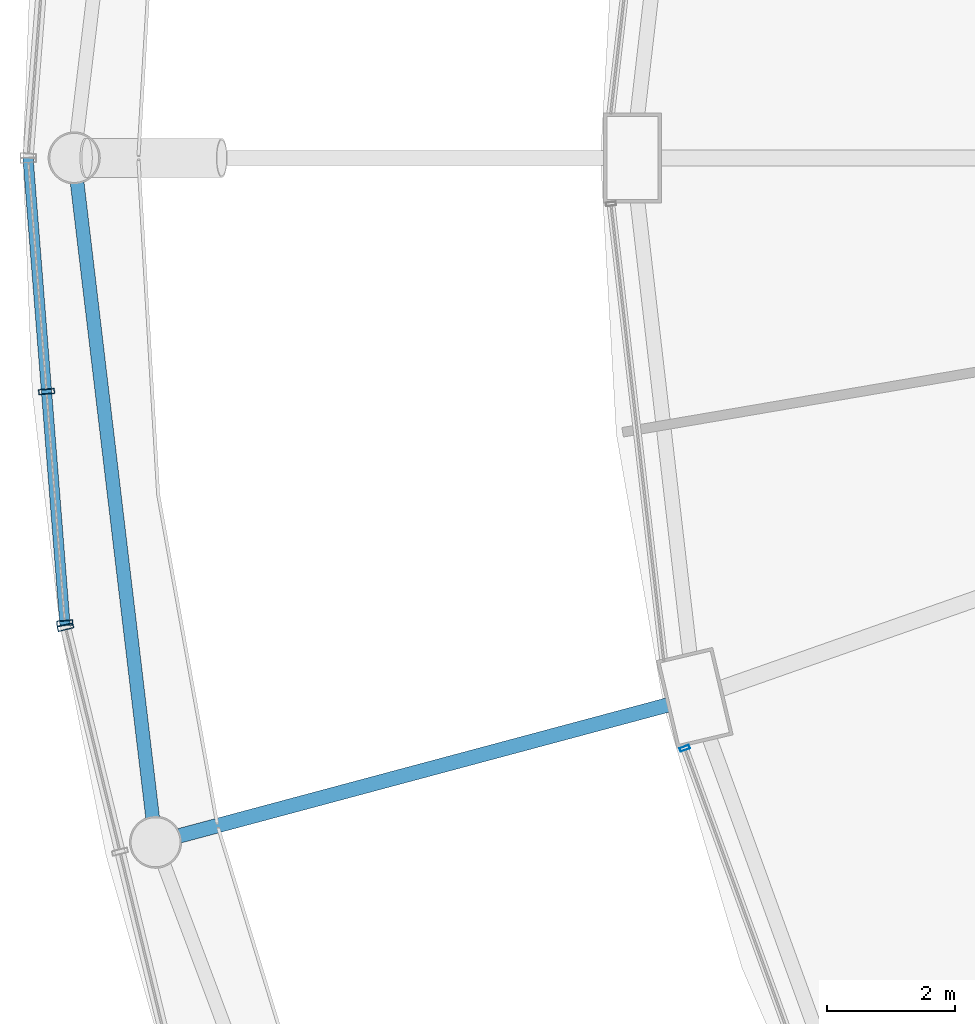
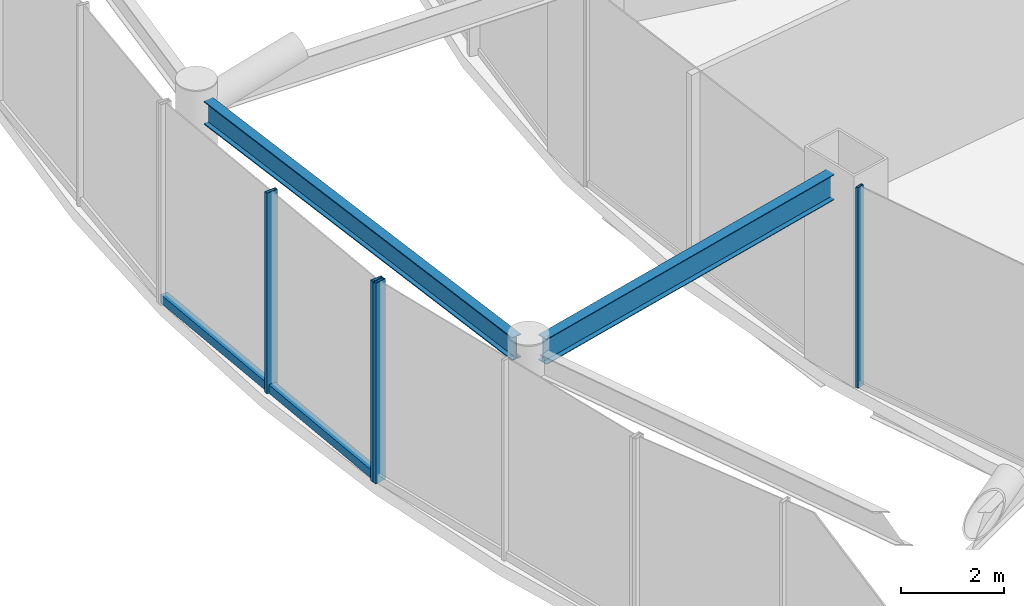
# One storey, part 17 of 52: 5 members, 2 beams, 3 elements without a shape of their own.
"""IFC4 building model written with IfcOpenShell, lengths in metres."""

from ifc_helpers import new_model, si_unit, direction, frame, origin, origin_2d, place, context, subcontext, project, spatial, hollow_rectangle, i_section, extrude, material, layer, layer_set, material_profile, profile_set, type_object, element, aggregate, save


model = new_model("IFC4")

# Units and contexts
model_context = context("Model", 3, precision=1e-05, world=origin(), true_north=direction((0.0, 1.0)))
body_context = subcontext(model_context, "Body", "Model", "MODEL_VIEW")
ifc_project = project(units=[si_unit("LENGTHUNIT", "METRE"), si_unit("AREAUNIT", "SQUARE_METRE"), si_unit("VOLUMEUNIT", "CUBIC_METRE"), si_unit("PLANEANGLEUNIT", "RADIAN"), si_unit("MASSUNIT", "GRAM", prefix="KILO")], contexts=[model_context])

# Site, building, storey
site_placement = place(None, origin())
site = spatial("IfcSite", under=ifc_project, at=site_placement, CompositionType="ELEMENT")
building_placement = place(site_placement, origin())
building = spatial("IfcBuilding", under=site, at=building_placement, Name="Nagisa Residences", CompositionType="ELEMENT")
storey_placement = place(building_placement, frame((0.0, 0.0, 22.0)))
storey = spatial("IfcBuildingStorey", under=building, at=storey_placement, Name="L04", CompositionType="ELEMENT", Elevation=22.0)

# Beams
ifc_material_1 = material(Name="Steel ASTM A572 Gr 50", Category="steel")
ifc_material_profile_1 = material_profile(ifc_material_1, i_section(OverallWidth=0.214111328125, OverallDepth=0.549072265625, WebThickness=0.0146484375, FlangeThickness=0.023681640625, at=origin_2d()), Name="W530x138")
ifc_profile_set_1 = profile_set([ifc_material_profile_1], Name="Steel ASTM A572 Gr 50")
beam_type_1 = type_object("IfcBeamType", Name="Atrium ring beam W530x138", PredefinedType="BEAM", material=ifc_profile_set_1)
beam_1_placement = place(storey_placement, frame((-33.554443359375, -0.3837890625, 4.4755859375), z_axis=(0.118035165542, -0.993009415713, 0.0), x_axis=(0.993009415713, 0.118035165542, 0.0)))
element("IfcBeam", 1, at=beam_1_placement, inside=storey, type_object=beam_type_1, Name="beam:L04:rab13", PredefinedType="BEAM", context=body_context, shape_type="SweptSolid", body=[
    extrude(i_section(OverallWidth=0.214111328125, OverallDepth=0.549072265625, WebThickness=0.0146484375, FlangeThickness=0.023681640625, at=origin_2d()), origin(), (0.0, 0.0, 1.0), 9.96533203125),
])
ifc_material_2 = material(Name="Steel ASTM A572 Gr 50", Category="steel")
ifc_material_profile_2 = material_profile(ifc_material_2, i_section(OverallWidth=0.22802734375, OverallDepth=0.60302734375, WebThickness=0.010498046875, FlangeThickness=0.014892578125, at=origin_2d()), Name="W610x101")
ifc_profile_set_2 = profile_set([ifc_material_profile_2], Name="Steel ASTM A572 Gr 50")
beam_type_2 = type_object("IfcBeamType", Name="Atrium roof beam W610x101", PredefinedType="BEAM", material=ifc_profile_set_2)
beam_2_placement = place(storey_placement, frame((-24.344482421875, -8.52294921875, 4.448486328125), z_axis=(-0.965928422324, -0.258809356376, 0.0), x_axis=(0.258809356376, -0.965928422324, 0.0)))
element("IfcBeam", 2, at=beam_2_placement, inside=storey, type_object=beam_type_2, Name="beam:L04:rer14", PredefinedType="BEAM", context=body_context, shape_type="SweptSolid", body=[
    extrude(i_section(OverallWidth=0.22802734375, OverallDepth=0.60302734375, WebThickness=0.010498046875, FlangeThickness=0.014892578125, at=origin_2d()), origin(), (0.0, 0.0, 1.0), 7.88330078125),
])

# Curtain wall, members
ifc_material_3 = material(Name="Stainless steel curtain wall system", Category="steel")
ifc_layer_1 = layer(ifc_material_3, 0.159912109375)
ifc_layer_set_1 = layer_set([ifc_layer_1], Name="CW3 CURTAIN WALL")
curtain_wall_type_1 = type_object("IfcCurtainWallType", Name="CW3 CURTAIN WALL", PredefinedType="NOTDEFINED", material=ifc_layer_set_1)
curtain_wall_1_placement = place(storey_placement, origin())
curtain_wall_1 = element("IfcCurtainWall", 3, at=curtain_wall_1_placement, inside=storey, type_object=curtain_wall_type_1, Name="cw:CW3:L04:18", PredefinedType="NOTDEFINED")
ifc_material_4 = material(Name="Stainless steel", Category="steel")
ifc_material_profile_3 = material_profile(ifc_material_4, hollow_rectangle(XDim=0.25, YDim=0.080078125, WallThickness=0.008056640625, at=origin_2d()), Name="CW3 MULLION 250x80")
ifc_profile_set_3 = profile_set([ifc_material_profile_3], Name="Stainless steel")
member_type_1 = type_object("IfcMemberType", Name="CW3 MULLION 250x80", PredefinedType="MULLION", material=ifc_profile_set_3)
member_1_placement = place(storey_placement, frame((-34.031494140625, -3.640380859375, 0.0), z_axis=(0.0, 0.0, 1.0), x_axis=(0.996881777235, 0.078909582539, 0.0)))
member_1 = element("IfcMember", 4, at=member_1_placement, type_object=member_type_1, Name="CW3 mullion", PredefinedType="MULLION", context=body_context, shape_type="SweptSolid", body=[
    extrude(hollow_rectangle(XDim=0.25, YDim=0.080078125, WallThickness=0.008056640625, at=origin_2d()), origin(), (0.0, 0.0, 1.0), 4.739990234375),
])
member_2_placement = place(storey_placement, frame((-33.74609375, -7.2470703125, 0.0), z_axis=(0.0, 0.0, 1.0), x_axis=(0.996881777235, 0.078909582539, 0.0)))
member_2 = element("IfcMember", 5, at=member_2_placement, type_object=member_type_1, Name="CW3 mullion", PredefinedType="MULLION", context=body_context, shape_type="SweptSolid", body=[
    extrude(hollow_rectangle(XDim=0.25, YDim=0.080078125, WallThickness=0.008056640625, at=origin_2d()), origin(), (0.0, 0.0, 1.0), 4.739990234375),
])

# Curtain wall, member
curtain_wall_2_placement = place(storey_placement, origin())
curtain_wall_2 = element("IfcCurtainWall", 6, at=curtain_wall_2_placement, inside=storey, type_object=curtain_wall_type_1, Name="cw:CW3:L04:19", PredefinedType="NOTDEFINED")
member_3_placement = place(storey_placement, frame((-33.735595703125, -7.313232421875, 0.0), z_axis=(0.0, 0.0, 1.0), x_axis=(0.971848775146, 0.235605514043, 0.0)))
member_3 = element("IfcMember", 7, at=member_3_placement, type_object=member_type_1, Name="CW3 mullion", PredefinedType="MULLION", context=body_context, shape_type="SweptSolid", body=[
    extrude(hollow_rectangle(XDim=0.25, YDim=0.080078125, WallThickness=0.008056640625, at=origin_2d()), origin(), (0.0, 0.0, 1.0), 4.739990234375),
])
aggregate(curtain_wall_2, [member_3])

# Member
ifc_material_5 = material(Name="Stainless steel", Category="steel")
ifc_material_profile_4 = material_profile(ifc_material_5, hollow_rectangle(XDim=0.159912109375, YDim=0.199951171875, WallThickness=0.008056640625, at=origin_2d()), Name="CW3 TRANSOM 160x200")
ifc_profile_set_4 = profile_set([ifc_material_profile_4], Name="Stainless steel")
member_type_2 = type_object("IfcMemberType", Name="CW3 TRANSOM 160x200", PredefinedType="USERDEFINED", material=ifc_profile_set_4)
member_4_placement = place(storey_placement, frame((-34.3203125, 0.00634765625, 0.10009765625), z_axis=(0.078921540002, -0.996880830653, 0.0), x_axis=(0.996880830653, 0.078921540002, 0.0)))
member_4 = element("IfcMember", 8, at=member_4_placement, type_object=member_type_2, Name="CW3 transom", ObjectType="TRANSOM", PredefinedType="USERDEFINED", context=body_context, shape_type="SweptSolid", body=[
    extrude(hollow_rectangle(XDim=0.159912109375, YDim=0.199951171875, WallThickness=0.008056640625, at=origin_2d()), origin(), (0.0, 0.0, 1.0), 7.31591796875),
])

aggregate(curtain_wall_1, [member_1, member_2, member_4])

# Curtain wall, member
ifc_material_6 = material(Name="Stainless steel curtain wall system", Category="steel")
ifc_layer_2 = layer(ifc_material_6, 0.159912109375)
ifc_layer_set_2 = layer_set([ifc_layer_2], Name="CW6 CURTAIN WALL")
curtain_wall_type_2 = type_object("IfcCurtainWallType", Name="CW6 CURTAIN WALL", PredefinedType="NOTDEFINED", material=ifc_layer_set_2)
curtain_wall_3_placement = place(storey_placement, origin())
curtain_wall_3 = element("IfcCurtainWall", 9, at=curtain_wall_3_placement, inside=storey, type_object=curtain_wall_type_2, Name="cw:CW6:L04:26", PredefinedType="NOTDEFINED")
ifc_material_7 = material(Name="Stainless steel", Category="steel")
ifc_material_profile_5 = material_profile(ifc_material_7, hollow_rectangle(XDim=0.159912109375, YDim=0.06005859375, WallThickness=0.006103515625, at=origin_2d()), Name="CW6 MULLION 160x60")
ifc_profile_set_5 = profile_set([ifc_material_profile_5], Name="Stainless steel")
member_type_3 = type_object("IfcMemberType", Name="CW6 MULLION 160x60", PredefinedType="MULLION", material=ifc_profile_set_5)
member_5_placement = place(storey_placement, frame((-24.0869140625, -9.19970703125, 0.0), z_axis=(0.0, 0.0, 1.0), x_axis=(0.939681861718, 0.342049702176, 0.0)))
member_5 = element("IfcMember", 10, at=member_5_placement, type_object=member_type_3, Name="CW6 mullion", PredefinedType="MULLION", context=body_context, shape_type="SweptSolid", body=[
    extrude(hollow_rectangle(XDim=0.159912109375, YDim=0.06005859375, WallThickness=0.006103515625, at=origin_2d()), origin(), (0.0, 0.0, 1.0), 4.739990234375),
])
aggregate(curtain_wall_3, [member_5])

save(model, "model.ifc")
